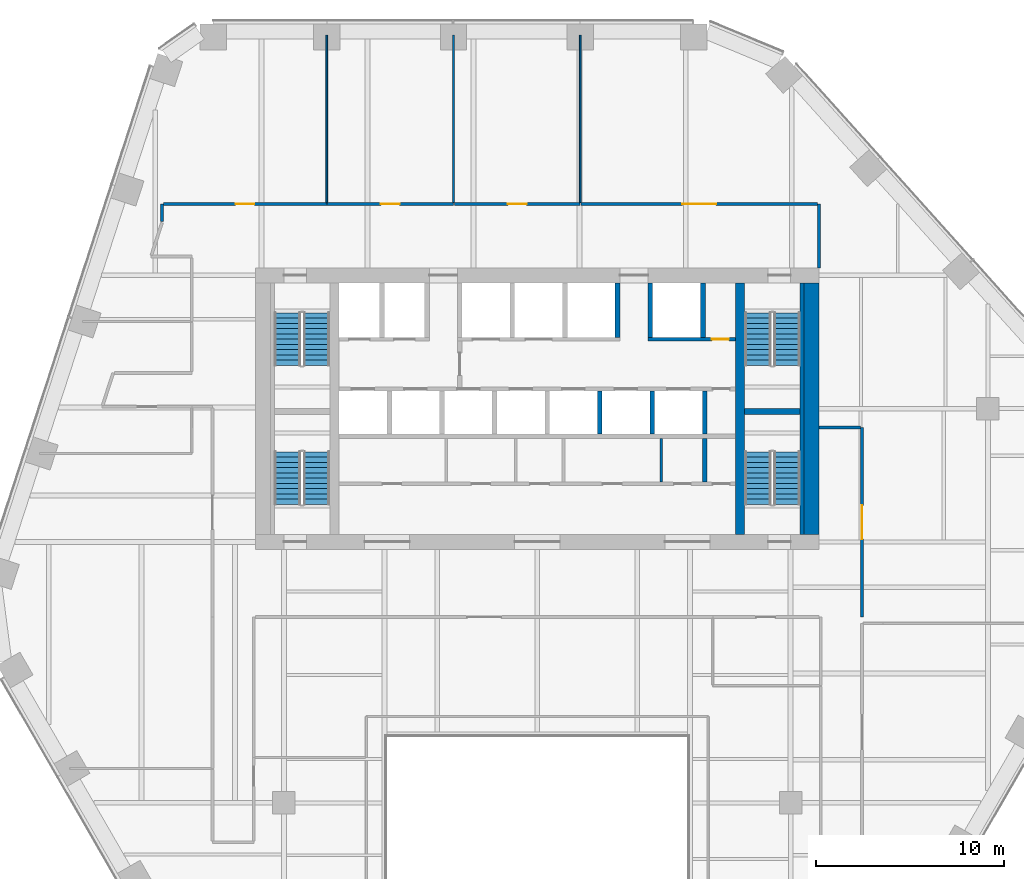
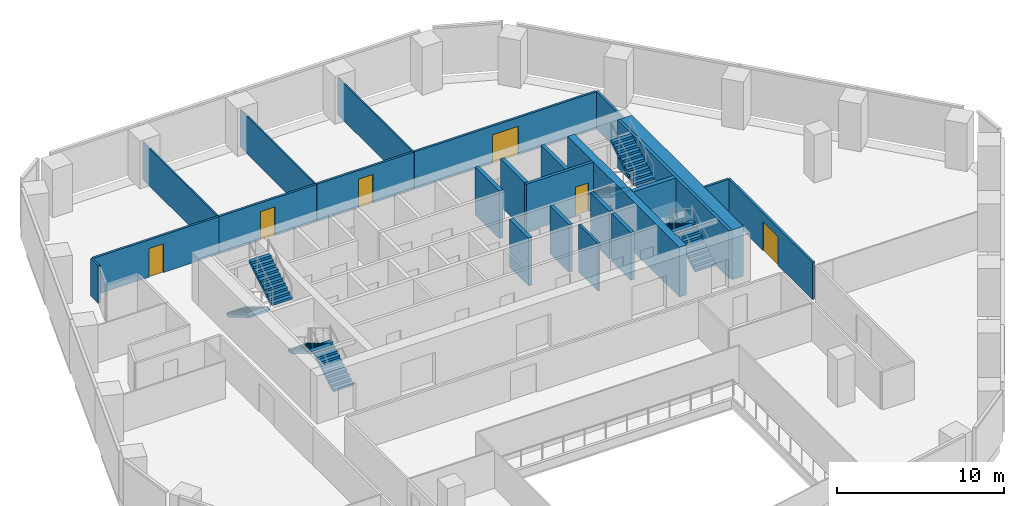
# One storey, part 13 of 16: 24 walls, 8 stair flights, 6 doors, 6 openings, 4 elements without a shape of their own.
"""IFC4 building model written with IfcOpenShell, lengths in metres."""

from ifc_helpers import new_model, si_unit, direction, frame, frame_2d, origin, place, context, subcontext, project, spatial, polyline, rectangle, outline, extrude, material, layer, layer_set, type_object, element, fill, aggregate, save


model = new_model("IFC4")

# Units and contexts
model_context = context("Model", 3, precision=1e-05, world=origin(), true_north=direction((0.0, 1.0)))
body_context = subcontext(model_context, "Body", "Model", "MODEL_VIEW")
ifc_project = project(units=[si_unit("LENGTHUNIT", "METRE"), si_unit("AREAUNIT", "SQUARE_METRE"), si_unit("VOLUMEUNIT", "CUBIC_METRE"), si_unit("PLANEANGLEUNIT", "RADIAN"), si_unit("MASSUNIT", "GRAM", prefix="KILO")], contexts=[model_context])

# Site, building, storey
site_placement = place(None, origin())
site = spatial("IfcSite", under=ifc_project, at=site_placement, CompositionType="ELEMENT")
building_placement = place(site_placement, origin())
building = spatial("IfcBuilding", under=site, at=building_placement, Name="Isthmus Gate Tower", CompositionType="ELEMENT")
storey_placement = place(building_placement, frame((0.0, 0.0, 148.050048828125)))
storey = spatial("IfcBuildingStorey", under=building, at=storey_placement, Name="L36", CompositionType="ELEMENT", Elevation=148.050048828125)

# Wall
ifc_material_1 = material(Name="Gypsum board on steel studs, fire-rated", Category="steel")
ifc_layer_1 = layer(ifc_material_1, 0.14990234375)
ifc_layer_set_1 = layer_set([ifc_layer_1], Name="CORRIDOR WALL 150 60 MIN")
wall_type_1 = type_object("IfcWallType", Name="CORRIDOR WALL 150 60 MIN", PredefinedType="PARTITIONING", material=ifc_layer_set_1)
wall_1_placement = place(storey_placement, frame((15.0, 18.39990234375, 0.0), z_axis=(0.0, 0.0, 1.0), x_axis=(0.0, -1.0, 0.0)))
element("IfcWall", 1, at=wall_1_placement, inside=storey, type_object=wall_type_1, Name="L36 Corridor Wall 150 60 Min", PredefinedType="PARTITIONING", context=body_context, shape_type="SweptSolid", body=[
    extrude(rectangle(XDim=3.39990234375, YDim=0.14990234375, at=frame_2d((1.699951171875, 0.0))), origin(), (0.0, 0.0, 1.0), 2.7412109375),
])

# Wall, opening, door
wall_2_placement = place(storey_placement, frame((17.298095703125, 6.5, 0.0), z_axis=(0.0, 0.0, 1.0), x_axis=(0.0, -1.0, 0.0)))
wall_2 = element("IfcWall", 2, at=wall_2_placement, inside=storey, type_object=wall_type_1, Name="L36 Corridor Wall 150 60 Min", PredefinedType="PARTITIONING", context=body_context, shape_type="SweptSolid", body=[
    extrude(rectangle(XDim=10.10205078125, YDim=0.14990234375, at=frame_2d((5.051025390625, 0.0))), origin(), (0.0, 0.0, 1.0), 2.7412109375),
])
opening_1_placement = place(wall_2_placement, frame((4.15087890625, 0.0, 0.0)))
opening_1 = element("IfcOpeningElement", 3, at=opening_1_placement, cuts=wall_2, Name="Opening DT-T3C-05", PredefinedType="OPENING", context=body_context, shape_type="SweptSolid", body=[
    extrude(rectangle(XDim=1.800048828125, YDim=2.10009765625, at=frame_2d((0.89990234375, 1.050048828125))), frame((0.0, 0.0849609375, 0.0), z_axis=(0.0, -1.0, 0.0), x_axis=(1.0, 0.0, 0.0)), (0.0, 0.0, 1.0), 0.169921875),
])
ifc_material_2 = material(Name="Solid core timber door leaf, fire-rated", Category="wood")
door_type_1 = type_object("IfcDoorType", Name="FIRE DOOR ROOM 1800 X 2100 60 MIN", OperationType="DOUBLE_DOOR_DOUBLE_SWING", PredefinedType="DOOR", material=ifc_material_2)
door_1_placement = place(opening_1_placement, origin())
door_1 = element("IfcDoor", 4, at=door_1_placement, inside=storey, type_object=door_type_1, Name="L36 room door", OperationType="DOUBLE_DOOR_DOUBLE_SWING", OverallHeight=2.10009765625, OverallWidth=1.800048828125, PredefinedType="DOOR", context=body_context, shape_type="SweptSolid", body=[
    extrude(rectangle(XDim=1.800048828125, YDim=2.10009765625, at=frame_2d((0.89990234375, 1.050048828125))), frame((0.0, 0.02490234375, 0.0), z_axis=(0.0, -1.0, 0.0), x_axis=(1.0, 0.0, 0.0)), (0.0, 0.0, 1.0), 0.050048828125),
])
fill(opening_1, door_1)

wall_3_placement = place(storey_placement, frame((-11.2119140625, 18.39990234375, 0.0), z_axis=(0.0, 0.0, 1.0), x_axis=(1.0, 0.0, 0.0)))
wall_3 = element("IfcWall", 5, at=wall_3_placement, inside=storey, type_object=wall_type_1, Name="L36 Corridor Wall 150 60 Min", PredefinedType="PARTITIONING", context=body_context, shape_type="SweptSolid", body=[
    extrude(rectangle(XDim=6.75, YDim=0.14990234375, at=frame_2d((3.375, 0.0))), origin(), (0.0, 0.0, 1.0), 2.7412109375),
])
opening_2_placement = place(wall_3_placement, frame((2.875, 0.0, 0.0)))
opening_2 = element("IfcOpeningElement", 6, at=opening_2_placement, cuts=wall_3, Name="Opening DT-T3C-01", PredefinedType="OPENING", context=body_context, shape_type="SweptSolid", body=[
    extrude(rectangle(XDim=1.0, YDim=2.10009765625, at=frame_2d((0.5, 1.050048828125))), frame((0.0, 0.0849609375, 0.0), z_axis=(0.0, -1.0, 0.0), x_axis=(1.0, 0.0, 0.0)), (0.0, 0.0, 1.0), 0.169921875),
])
ifc_material_3 = material(Name="Solid core timber door leaf, fire-rated", Category="wood")
door_type_2 = type_object("IfcDoorType", Name="FIRE DOOR ROOM 1000 X 2100 60 MIN", OperationType="SINGLE_SWING_LEFT", PredefinedType="DOOR", material=ifc_material_3)
door_2_placement = place(opening_2_placement, origin())
door_2 = element("IfcDoor", 7, at=door_2_placement, inside=storey, type_object=door_type_2, Name="L36 room door", OperationType="SINGLE_SWING_RIGHT", OverallHeight=2.10009765625, OverallWidth=1.0, PredefinedType="DOOR", context=body_context, shape_type="SweptSolid", body=[
    extrude(rectangle(XDim=1.0, YDim=2.10009765625, at=frame_2d((0.5, 1.050048828125))), frame((0.0, 0.02490234375, 0.0), z_axis=(0.0, -1.0, 0.0), x_axis=(1.0, 0.0, 0.0)), (0.0, 0.0, 1.0), 0.050048828125),
])
fill(opening_2, door_2)

wall_4_placement = place(storey_placement, frame((-4.412109375, 18.39990234375, 0.0), z_axis=(0.0, 0.0, 1.0), x_axis=(1.0, 0.0, 0.0)))
wall_4 = element("IfcWall", 8, at=wall_4_placement, inside=storey, type_object=wall_type_1, Name="L36 Corridor Wall 150 60 Min", PredefinedType="PARTITIONING", context=body_context, shape_type="SweptSolid", body=[
    extrude(rectangle(XDim=6.7001953125, YDim=0.14990234375, at=frame_2d((3.35009765625, 0.0))), origin(), (0.0, 0.0, 1.0), 2.7412109375),
])
opening_3_placement = place(wall_4_placement, frame((2.85009765625, 0.0, 0.0)))
opening_3 = element("IfcOpeningElement", 9, at=opening_3_placement, cuts=wall_4, Name="Opening DT-T3C-02", PredefinedType="OPENING", context=body_context, shape_type="SweptSolid", body=[
    extrude(rectangle(XDim=1.0, YDim=2.10009765625, at=frame_2d((0.5, 1.050048828125))), frame((0.0, 0.0849609375, 0.0), z_axis=(0.0, -1.0, 0.0), x_axis=(1.0, 0.0, 0.0)), (0.0, 0.0, 1.0), 0.169921875),
])
door_3_placement = place(opening_3_placement, origin())
door_3 = element("IfcDoor", 10, at=door_3_placement, inside=storey, type_object=door_type_2, Name="L36 room door", OperationType="SINGLE_SWING_RIGHT", OverallHeight=2.10009765625, OverallWidth=1.0, PredefinedType="DOOR", context=body_context, shape_type="SweptSolid", body=[
    extrude(rectangle(XDim=1.0, YDim=2.10009765625, at=frame_2d((0.5, 1.050048828125))), frame((0.0, 0.02490234375, 0.0), z_axis=(0.0, -1.0, 0.0), x_axis=(1.0, 0.0, 0.0)), (0.0, 0.0, 1.0), 0.050048828125),
])
fill(opening_3, door_3)

# Wall
wall_5_placement = place(storey_placement, frame((-19.989990234375, 17.47509765625, 0.0), z_axis=(0.0, 0.0, 1.0), x_axis=(0.0, 1.0, 0.0)))
element("IfcWall", 11, at=wall_5_placement, inside=storey, type_object=wall_type_1, Name="L36 Corridor Wall 150 60 Min", PredefinedType="PARTITIONING", context=body_context, shape_type="SweptSolid", body=[
    extrude(rectangle(XDim=0.9248046875, YDim=0.14990234375, at=frame_2d((0.46240234375, 0.0))), origin(), (0.0, 0.0, 1.0), 2.7412109375),
])

# Wall, opening, door
wall_6_placement = place(storey_placement, frame((-19.9150390625, 18.39990234375, 0.0), z_axis=(0.0, 0.0, 1.0), x_axis=(1.0, 0.0, 0.0)))
wall_6 = element("IfcWall", 12, at=wall_6_placement, inside=storey, type_object=wall_type_1, Name="L36 Corridor Wall 150 60 Min", PredefinedType="PARTITIONING", context=body_context, shape_type="SweptSolid", body=[
    extrude(rectangle(XDim=8.703125, YDim=0.14990234375, at=frame_2d((4.3515625, 0.0))), origin(), (0.0, 0.0, 1.0), 2.7412109375),
])
opening_4_placement = place(wall_6_placement, frame((3.8515625, 0.0, 0.0)))
opening_4 = element("IfcOpeningElement", 13, at=opening_4_placement, cuts=wall_6, Name="Opening DT-T3C-03", PredefinedType="OPENING", context=body_context, shape_type="SweptSolid", body=[
    extrude(rectangle(XDim=1.0, YDim=2.10009765625, at=frame_2d((0.5, 1.050048828125))), frame((0.0, 0.0849609375, 0.0), z_axis=(0.0, -1.0, 0.0), x_axis=(1.0, 0.0, 0.0)), (0.0, 0.0, 1.0), 0.169921875),
])
door_4_placement = place(opening_4_placement, origin())
door_4 = element("IfcDoor", 14, at=door_4_placement, inside=storey, type_object=door_type_2, Name="L36 room door", OperationType="SINGLE_SWING_RIGHT", OverallHeight=2.10009765625, OverallWidth=1.0, PredefinedType="DOOR", context=body_context, shape_type="SweptSolid", body=[
    extrude(rectangle(XDim=1.0, YDim=2.10009765625, at=frame_2d((0.5, 1.050048828125))), frame((0.0, 0.02490234375, 0.0), z_axis=(0.0, -1.0, 0.0), x_axis=(1.0, 0.0, 0.0)), (0.0, 0.0, 1.0), 0.050048828125),
])
fill(opening_4, door_4)

wall_7_placement = place(storey_placement, frame((2.337890625, 18.39990234375, 0.0), z_axis=(0.0, 0.0, 1.0), x_axis=(1.0, 0.0, 0.0)))
wall_7 = element("IfcWall", 15, at=wall_7_placement, inside=storey, type_object=wall_type_1, Name="L36 Corridor Wall 150 60 Min", PredefinedType="PARTITIONING", context=body_context, shape_type="SweptSolid", body=[
    extrude(rectangle(XDim=12.587158203125, YDim=0.14990234375, at=frame_2d((6.29345703125, 0.0))), origin(), (0.0, 0.0, 1.0), 2.7412109375),
])
opening_5_placement = place(wall_7_placement, frame((5.3935546875, 0.0, 0.0)))
opening_5 = element("IfcOpeningElement", 16, at=opening_5_placement, cuts=wall_7, Name="Opening DT-T3C-04", PredefinedType="OPENING", context=body_context, shape_type="SweptSolid", body=[
    extrude(rectangle(XDim=1.800048828125, YDim=2.10009765625, at=frame_2d((0.89990234375, 1.050048828125))), frame((0.0, 0.0849609375, 0.0), z_axis=(0.0, -1.0, 0.0), x_axis=(1.0, 0.0, 0.0)), (0.0, 0.0, 1.0), 0.169921875),
])
door_5_placement = place(opening_5_placement, origin())
door_5 = element("IfcDoor", 17, at=door_5_placement, inside=storey, type_object=door_type_1, Name="L36 room door", OperationType="DOUBLE_DOOR_DOUBLE_SWING", OverallHeight=2.10009765625, OverallWidth=1.800048828125, PredefinedType="DOOR", context=body_context, shape_type="SweptSolid", body=[
    extrude(rectangle(XDim=1.800048828125, YDim=2.10009765625, at=frame_2d((0.89990234375, 1.050048828125))), frame((0.0, 0.02490234375, 0.0), z_axis=(0.0, -1.0, 0.0), x_axis=(1.0, 0.0, 0.0)), (0.0, 0.0, 1.0), 0.050048828125),
])
fill(opening_5, door_5)

# Walls
wall_8_placement = place(storey_placement, frame((15.0, 6.5, 0.0), z_axis=(0.0, 0.0, 1.0), x_axis=(1.0, 0.0, 0.0)))
element("IfcWall", 18, at=wall_8_placement, inside=storey, type_object=wall_type_1, Name="L36 Corridor Wall 150 60 Min", PredefinedType="PARTITIONING", context=body_context, shape_type="SweptSolid", body=[
    extrude(rectangle(XDim=2.222900390625, YDim=0.14990234375, at=frame_2d((1.111328125, 0.0))), origin(), (0.0, 0.0, 1.0), 2.7412109375),
])
ifc_material_4 = material(Name="Concrete f'c 60 MPa", Category="concrete")
ifc_layer_2 = layer(ifc_material_4, 0.5)
ifc_layer_set_2 = layer_set([ifc_layer_2], Name="RC CORE SPINE WALL 500 F'C 60")
wall_type_2 = type_object("IfcWallType", Name="RC CORE SPINE WALL 500 F'C 60", PredefinedType="SOLIDWALL", material=ifc_layer_set_2)
wall_9_placement = place(storey_placement, frame((10.800048828125, 0.800048828125, -0.150146484375), z_axis=(0.0, 0.0, 1.0), x_axis=(0.0, 1.0, 0.0)))
element("IfcWall", 19, at=wall_9_placement, inside=storey, type_object=wall_type_2, Name="str-corewall-L36-SPE", PredefinedType="SOLIDWALL", context=body_context, shape_type="SweptSolid", body=[
    extrude(rectangle(XDim=13.39990234375, YDim=0.5, at=frame_2d((6.699951171875, 0.0))), origin(), (0.0, 0.0, 1.0), 3.650146484375),
])
ifc_material_5 = material(Name="Concrete f'c 60 MPa", Category="concrete")
ifc_layer_3 = layer(ifc_material_5, 0.800048828125)
ifc_layer_set_3 = layer_set([ifc_layer_3], Name="RC CORE WALL 800 F'C 60")
wall_type_3 = type_object("IfcWallType", Name="RC CORE WALL 800 F'C 60", PredefinedType="SOLIDWALL", material=ifc_layer_set_3)
wall_10_placement = place(storey_placement, frame((14.60009765625, 0.800048828125, -0.150146484375), z_axis=(0.0, 0.0, 1.0), x_axis=(0.0, 1.0, 0.0)))
element("IfcWall", 20, at=wall_10_placement, inside=storey, type_object=wall_type_3, Name="str-corewall-L36-E", PredefinedType="SOLIDWALL", context=body_context, shape_type="SweptSolid", body=[
    extrude(rectangle(XDim=13.39990234375, YDim=0.800048828125, at=frame_2d((6.699951171875, 0.0))), origin(), (0.0, 0.0, 1.0), 3.650146484375),
])
ifc_material_6 = material(Name="Gypsum board on steel studs, fire-rated", Category="steel")
ifc_layer_4 = layer(ifc_material_6, 0.10009765625)
ifc_layer_set_4 = layer_set([ifc_layer_4], Name="ROOM PARTITION 100 30 MIN")
wall_type_4 = type_object("IfcWallType", Name="ROOM PARTITION 100 30 MIN", PredefinedType="PARTITIONING", material=ifc_layer_set_4)
for number, where, z_axis, x_axis, name in (
    (21, (-4.4619140625, 18.47509765625, 0.0), (0.0, 0.0, 1.0), (0.0, 1.0, 0.0), "L36 Room Partition 100 30 Min"),
    (22, (2.2880859375, 18.47509765625, 0.0), (0.0, 0.0, 1.0), (0.0, 1.0, 0.0), "L36 Room Partition 100 30 Min"),
    (23, (-11.2119140625, 18.47509765625, 0.0), (0.0, 0.0, 1.0), (0.0, 1.0, 0.0), "L36 Room Partition 100 30 Min"),
):
    element("IfcWall", number, at=place(storey_placement, frame(where, z_axis=z_axis, x_axis=x_axis)), inside=storey, type_object=wall_type_4, Name=name, PredefinedType="PARTITIONING", context=body_context, shape_type="SweptSolid", body=[
        extrude(rectangle(XDim=8.9248046875, YDim=0.10009765625, at=frame_2d((4.46240234375, 0.0))), origin(), (0.0, 0.0, 1.0), 2.7412109375),
    ])
ifc_material_7 = material(Name="Gypsum board on steel studs, fire-rated", Category="steel")
ifc_layer_5 = layer(ifc_material_7, 0.14990234375)
ifc_layer_set_5 = layer_set([ifc_layer_5], Name="ROOM PARTITION 150 60 MIN")
wall_type_5 = type_object("IfcWallType", Name="ROOM PARTITION 150 60 MIN", PredefinedType="PARTITIONING", material=ifc_layer_set_5)
wall_11_placement = place(storey_placement, frame((6.60009765625, 3.60009765625, 0.0), z_axis=(0.0, 0.0, 1.0), x_axis=(0.0, 1.0, 0.0)))
element("IfcWall", 24, at=wall_11_placement, inside=storey, type_object=wall_type_5, Name="L36 ROOM PARTITION 150 60 MIN", PredefinedType="PARTITIONING", context=body_context, shape_type="SweptSolid", body=[
    extrude(rectangle(XDim=2.2998046875, YDim=0.14990234375, at=frame_2d((1.14990234375, 0.0))), origin(), (0.0, 0.0, 1.0), 3.5),
])

# Wall, opening, door
ifc_material_8 = material(Name="Fire-rated blockwork masonry, 15 MPa", Category="masonry")
ifc_layer_6 = layer(ifc_material_8, 0.199951171875)
ifc_layer_set_6 = layer_set([ifc_layer_6], Name="SHAFT FRONT WALL 200 120 MIN")
wall_type_6 = type_object("IfcWallType", Name="SHAFT FRONT WALL 200 120 MIN", PredefinedType="PARTITIONING", material=ifc_layer_set_6)
wall_12_placement = place(storey_placement, frame((5.89990234375, 11.199951171875, 0.0), z_axis=(0.0, 0.0, 1.0), x_axis=(1.0, 0.0, 0.0)))
wall_12 = element("IfcWall", 25, at=wall_12_placement, inside=storey, type_object=wall_type_6, Name="L36 SHAFT FRONT WALL 200 120 MIN", PredefinedType="PARTITIONING", context=body_context, shape_type="SweptSolid", body=[
    extrude(rectangle(XDim=4.650146484375, YDim=0.199951171875, at=frame_2d((2.3251953125, 0.0))), origin(), (0.0, 0.0, 1.0), 3.5),
])
opening_6_placement = place(wall_12_placement, frame((3.39990234375, 0.0, 0.0)))
opening_6 = element("IfcOpeningElement", 26, at=opening_6_placement, cuts=wall_12, Name="Opening DC-A11-09", PredefinedType="OPENING", context=body_context, shape_type="SweptSolid", body=[
    extrude(rectangle(XDim=0.89990234375, YDim=2.10009765625, at=frame_2d((0.449951171875, 1.050048828125))), frame((0.0, 0.10986328125, 0.0), z_axis=(0.0, -1.0, 0.0), x_axis=(1.0, 0.0, 0.0)), (0.0, 0.0, 1.0), 0.219970703125),
])
ifc_material_9 = material(Name="Steel door leaf, fire-rated", Category="steel")
door_type_3 = type_object("IfcDoorType", Name="RISER FIRE DOOR 900 X 2100 90 MIN", OperationType="SINGLE_SWING_LEFT", PredefinedType="DOOR", material=ifc_material_9)
door_6_placement = place(opening_6_placement, origin())
door_6 = element("IfcDoor", 27, at=door_6_placement, inside=storey, type_object=door_type_3, Name="Riser Door", OperationType="SINGLE_SWING_LEFT", OverallHeight=2.10009765625, OverallWidth=0.89990234375, PredefinedType="DOOR", context=body_context, shape_type="SweptSolid", body=[
    extrude(rectangle(XDim=0.89990234375, YDim=2.10009765625, at=frame_2d((0.449951171875, 1.050048828125))), frame((0.0, 0.02490234375, 0.0), z_axis=(0.0, -1.0, 0.0), x_axis=(1.0, 0.0, 0.0)), (0.0, 0.0, 1.0), 0.050048828125),
])
fill(opening_6, door_6)

# Walls
ifc_material_10 = material(Name="Fire-rated blockwork masonry, 15 MPa", Category="masonry")
ifc_layer_7 = layer(ifc_material_10, 0.25)
ifc_layer_set_7 = layer_set([ifc_layer_7], Name="SHAFT WALL 250 120 MIN")
wall_type_7 = type_object("IfcWallType", Name="SHAFT WALL 250 120 MIN", PredefinedType="PARTITIONING", material=ifc_layer_set_7)
wall_13_placement = place(storey_placement, frame((8.925048828125, 3.60009765625, 0.0), z_axis=(0.0, 0.0, 1.0), x_axis=(0.0, 1.0, 0.0)))
element("IfcWall", 28, at=wall_13_placement, inside=storey, type_object=wall_type_7, Name="L36 SHAFT WALL 250 120 MIN", PredefinedType="PARTITIONING", context=body_context, shape_type="SweptSolid", body=[
    extrude(rectangle(XDim=2.2998046875, YDim=0.25, at=frame_2d((1.14990234375, 0.0))), origin(), (0.0, 0.0, 1.0), 3.5),
])
for number, where, z_axis, x_axis, name in (
    (29, (3.324951171875, 6.14990234375, 0.0), (0.0, 0.0, 1.0), (0.0, 1.0, 0.0), "L36 SHAFT WALL 250 120 MIN"),
    (30, (6.125, 6.14990234375, 0.0), (0.0, 0.0, 1.0), (0.0, 1.0, 0.0), "L36 SHAFT WALL 250 120 MIN"),
    (31, (8.925048828125, 6.14990234375, 0.0), (0.0, 0.0, 1.0), (0.0, 1.0, 0.0), "L36 SHAFT WALL 250 120 MIN"),
):
    element("IfcWall", number, at=place(storey_placement, frame(where, z_axis=z_axis, x_axis=x_axis)), inside=storey, type_object=wall_type_7, Name=name, PredefinedType="PARTITIONING", context=body_context, shape_type="SweptSolid", body=[
        extrude(rectangle(XDim=2.300048828125, YDim=0.25, at=frame_2d((1.14990234375, 0.0))), origin(), (0.0, 0.0, 1.0), 3.5),
    ])
for number, where, z_axis, x_axis, name in (
    (32, (4.27490234375, 11.300048828125, 0.0), (0.0, 0.0, 1.0), (0.0, 1.0, 0.0), "L36 SHAFT WALL 250 120 MIN"),
    (33, (6.02490234375, 11.300048828125, 0.0), (0.0, 0.0, 1.0), (0.0, 1.0, 0.0), "L36 SHAFT WALL 250 120 MIN"),
    (34, (8.824951171875, 11.300048828125, 0.0), (0.0, 0.0, 1.0), (0.0, 1.0, 0.0), "L36 SHAFT WALL 250 120 MIN"),
):
    element("IfcWall", number, at=place(storey_placement, frame(where, z_axis=z_axis, x_axis=x_axis)), inside=storey, type_object=wall_type_7, Name=name, PredefinedType="PARTITIONING", context=body_context, shape_type="SweptSolid", body=[
        extrude(rectangle(XDim=2.89990234375, YDim=0.25, at=frame_2d((1.449951171875, 0.0))), origin(), (0.0, 0.0, 1.0), 3.5),
    ])
ifc_material_11 = material(Name="Concrete f'c 40 MPa", Category="concrete")
ifc_layer_8 = layer(ifc_material_11, 0.199951171875)
ifc_layer_set_8 = layer_set([ifc_layer_8], Name="STAIR ENCLOSURE WALL 200 180 MIN")
wall_type_8 = type_object("IfcWallType", Name="STAIR ENCLOSURE WALL 200 180 MIN", PredefinedType="SOLIDWALL", material=ifc_layer_set_8)
wall_14_placement = place(storey_placement, frame((14.10009765625, 0.800048828125, 0.0), z_axis=(0.0, 0.0, 1.0), x_axis=(0.0, 1.0, 0.0)))
element("IfcWall", 35, at=wall_14_placement, inside=storey, type_object=wall_type_8, Name="L36 STAIR ENCLOSURE WALL 200 180 MIN", PredefinedType="SOLIDWALL", context=body_context, shape_type="SweptSolid", body=[
    extrude(rectangle(XDim=13.39990234375, YDim=0.199951171875, at=frame_2d((6.699951171875, 0.0))), origin(), (0.0, 0.0, 1.0), 3.5),
])
ifc_material_12 = material(Name="Concrete f'c 40 MPa", Category="concrete")
ifc_layer_9 = layer(ifc_material_12, 0.300048828125)
ifc_layer_set_9 = layer_set([ifc_layer_9], Name="STAIR ENCLOSURE WALL 300 180 MIN")
wall_type_9 = type_object("IfcWallType", Name="STAIR ENCLOSURE WALL 300 180 MIN", PredefinedType="SOLIDWALL", material=ifc_layer_set_9)
wall_15_placement = place(storey_placement, frame((11.050048828125, 7.35009765625, 0.0), z_axis=(0.0, 0.0, 1.0), x_axis=(1.0, 0.0, 0.0)))
element("IfcWall", 36, at=wall_15_placement, inside=storey, type_object=wall_type_9, Name="L36 STAIR ENCLOSURE WALL 300 180 MIN", PredefinedType="SOLIDWALL", context=body_context, shape_type="SweptSolid", body=[
    extrude(rectangle(XDim=2.949951171875, YDim=0.300048828125, at=frame_2d((1.47509765625, 0.0))), origin(), (0.0, 0.0, 1.0), 3.5),
])

# Stair, stair flights
ifc_material_13 = material(Name="Concrete f'c 40 MPa", Category="concrete")
stair_type = type_object("IfcStairType", Name="CORE STAIR 22 RISERS", PredefinedType="HALF_TURN_STAIR", material=ifc_material_13)
stair_1_placement = place(storey_placement, origin())
stair_1 = element("IfcStair", 37, at=stair_1_placement, inside=storey, type_object=stair_type, Name="L36 Exit Stair 1", PredefinedType="HALF_TURN_STAIR")
ifc_material_14 = material(Name="Concrete f'c 40 MPa", Category="concrete")
stair_flight_type = type_object("IfcStairFlightType", Name="STAIR FLIGHT RC 1400", PredefinedType="STRAIGHT", material=ifc_material_14)
stair_flight_1_placement = place(storey_placement, frame((-13.300048828125, 12.60009765625, 0.0), z_axis=(0.0, 0.0, 1.0), x_axis=(0.0, -1.0, 0.0)))
stair_flight_1 = element("IfcStairFlight", 38, at=stair_flight_1_placement, type_object=stair_flight_type, Name="ST1 flight 1", NumberOfRisers=11, NumberOfTreads=10, PredefinedType="STRAIGHT", RiserHeight=0.165909091, TreadLength=0.28, context=body_context, shape_type="SweptSolid", body=[
    extrude(outline(polyline([(0.0, 0.0), (0.0, 0.166015625), (0.280029296875, 0.166015625), (0.280029296875, 0.331787109375), (0.56005859375, 0.331787109375), (0.56005859375, 0.497802734375), (0.840087890625, 0.497802734375), (0.840087890625, 0.66357421875), (1.1201171875, 0.66357421875), (1.1201171875, 0.82958984375), (1.39990234375, 0.82958984375), (1.39990234375, 0.995361328125), (1.679931640625, 0.995361328125), (1.679931640625, 1.161376953125), (1.9599609375, 1.161376953125), (1.9599609375, 1.327392578125), (2.239990234375, 1.327392578125), (2.239990234375, 1.4931640625), (2.52001953125, 1.4931640625), (2.52001953125, 1.6591796875), (2.800048828125, 1.6591796875), (2.800048828125, 1.824951171875), (2.800048828125, 1.48486328125), (0.2939453125, 0.0), (0.0, 0.0)])), frame((0.0, 0.699951171875, 0.0), z_axis=(0.0, -1.0, 0.0), x_axis=(1.0, 0.0, 0.0)), (0.0, 0.0, 1.0), 1.39990234375),
])
stair_flight_2_placement = place(storey_placement, frame((-11.75, 9.800048828125, 1.824951171875), z_axis=(0.0, 0.0, 1.0), x_axis=(0.0, 1.0, 0.0)))
stair_flight_2 = element("IfcStairFlight", 39, at=stair_flight_2_placement, type_object=stair_flight_type, Name="ST1 flight 2", NumberOfRisers=11, NumberOfTreads=10, PredefinedType="STRAIGHT", RiserHeight=0.165909091, TreadLength=0.28, context=body_context, shape_type="SweptSolid", body=[
    extrude(outline(polyline([(0.0, 0.0), (0.0, 0.166015625), (0.280029296875, 0.166015625), (0.280029296875, 0.331787109375), (0.56005859375, 0.331787109375), (0.56005859375, 0.497802734375), (0.840087890625, 0.497802734375), (0.840087890625, 0.66357421875), (1.1201171875, 0.66357421875), (1.1201171875, 0.82958984375), (1.39990234375, 0.82958984375), (1.39990234375, 0.995361328125), (1.679931640625, 0.995361328125), (1.679931640625, 1.161376953125), (1.9599609375, 1.161376953125), (1.9599609375, 1.327392578125), (2.239990234375, 1.327392578125), (2.239990234375, 1.4931640625), (2.52001953125, 1.4931640625), (2.52001953125, 1.6591796875), (2.800048828125, 1.6591796875), (2.800048828125, 1.824951171875), (2.800048828125, 1.48486328125), (0.2939453125, 0.0), (0.0, 0.0)])), frame((0.0, 0.699951171875, 0.0), z_axis=(0.0, -1.0, 0.0), x_axis=(1.0, 0.0, 0.0)), (0.0, 0.0, 1.0), 1.39990234375),
])
aggregate(stair_1, [stair_flight_1, stair_flight_2])

stair_2_placement = place(storey_placement, origin())
stair_2 = element("IfcStair", 40, at=stair_2_placement, inside=storey, type_object=stair_type, Name="L36 Exit Stair 2", PredefinedType="HALF_TURN_STAIR")
stair_flight_3_placement = place(storey_placement, frame((11.75, 12.60009765625, 0.0), z_axis=(0.0, 0.0, 1.0), x_axis=(0.0, -1.0, 0.0)))
stair_flight_3 = element("IfcStairFlight", 41, at=stair_flight_3_placement, type_object=stair_flight_type, Name="ST2 flight 1", NumberOfRisers=11, NumberOfTreads=10, PredefinedType="STRAIGHT", RiserHeight=0.165909091, TreadLength=0.28, context=body_context, shape_type="SweptSolid", body=[
    extrude(outline(polyline([(0.0, 0.0), (0.0, 0.166015625), (0.280029296875, 0.166015625), (0.280029296875, 0.331787109375), (0.56005859375, 0.331787109375), (0.56005859375, 0.497802734375), (0.840087890625, 0.497802734375), (0.840087890625, 0.66357421875), (1.1201171875, 0.66357421875), (1.1201171875, 0.82958984375), (1.39990234375, 0.82958984375), (1.39990234375, 0.995361328125), (1.679931640625, 0.995361328125), (1.679931640625, 1.161376953125), (1.9599609375, 1.161376953125), (1.9599609375, 1.327392578125), (2.239990234375, 1.327392578125), (2.239990234375, 1.4931640625), (2.52001953125, 1.4931640625), (2.52001953125, 1.6591796875), (2.800048828125, 1.6591796875), (2.800048828125, 1.824951171875), (2.800048828125, 1.48486328125), (0.2939453125, 0.0), (0.0, 0.0)])), frame((0.0, 0.699951171875, 0.0), z_axis=(0.0, -1.0, 0.0), x_axis=(1.0, 0.0, 0.0)), (0.0, 0.0, 1.0), 1.39990234375),
])
stair_flight_4_placement = place(storey_placement, frame((13.300048828125, 9.800048828125, 1.824951171875), z_axis=(0.0, 0.0, 1.0), x_axis=(0.0, 1.0, 0.0)))
stair_flight_4 = element("IfcStairFlight", 42, at=stair_flight_4_placement, type_object=stair_flight_type, Name="ST2 flight 2", NumberOfRisers=11, NumberOfTreads=10, PredefinedType="STRAIGHT", RiserHeight=0.165909091, TreadLength=0.28, context=body_context, shape_type="SweptSolid", body=[
    extrude(outline(polyline([(0.0, 0.0), (0.0, 0.166015625), (0.280029296875, 0.166015625), (0.280029296875, 0.331787109375), (0.56005859375, 0.331787109375), (0.56005859375, 0.497802734375), (0.840087890625, 0.497802734375), (0.840087890625, 0.66357421875), (1.1201171875, 0.66357421875), (1.1201171875, 0.82958984375), (1.39990234375, 0.82958984375), (1.39990234375, 0.995361328125), (1.679931640625, 0.995361328125), (1.679931640625, 1.161376953125), (1.9599609375, 1.161376953125), (1.9599609375, 1.327392578125), (2.239990234375, 1.327392578125), (2.239990234375, 1.4931640625), (2.52001953125, 1.4931640625), (2.52001953125, 1.6591796875), (2.800048828125, 1.6591796875), (2.800048828125, 1.824951171875), (2.800048828125, 1.48486328125), (0.2939453125, 0.0), (0.0, 0.0)])), frame((0.0, 0.699951171875, 0.0), z_axis=(0.0, -1.0, 0.0), x_axis=(1.0, 0.0, 0.0)), (0.0, 0.0, 1.0), 1.39990234375),
])
aggregate(stair_2, [stair_flight_3, stair_flight_4])

stair_3_placement = place(storey_placement, origin())
stair_3 = element("IfcStair", 43, at=stair_3_placement, inside=storey, type_object=stair_type, Name="L36 Exit Stair 7", PredefinedType="HALF_TURN_STAIR")
stair_flight_5_placement = place(storey_placement, frame((-11.75, 2.39990234375, 0.0), z_axis=(0.0, 0.0, 1.0), x_axis=(0.0, 1.0, 0.0)))
stair_flight_5 = element("IfcStairFlight", 44, at=stair_flight_5_placement, type_object=stair_flight_type, Name="ST7 flight 1", NumberOfRisers=11, NumberOfTreads=10, PredefinedType="STRAIGHT", RiserHeight=0.165909091, TreadLength=0.28, context=body_context, shape_type="SweptSolid", body=[
    extrude(outline(polyline([(0.0, 0.0), (0.0, 0.166015625), (0.280029296875, 0.166015625), (0.280029296875, 0.331787109375), (0.56005859375, 0.331787109375), (0.56005859375, 0.497802734375), (0.840087890625, 0.497802734375), (0.840087890625, 0.66357421875), (1.1201171875, 0.66357421875), (1.1201171875, 0.82958984375), (1.39990234375, 0.82958984375), (1.39990234375, 0.995361328125), (1.679931640625, 0.995361328125), (1.679931640625, 1.161376953125), (1.9599609375, 1.161376953125), (1.9599609375, 1.327392578125), (2.239990234375, 1.327392578125), (2.239990234375, 1.4931640625), (2.52001953125, 1.4931640625), (2.52001953125, 1.6591796875), (2.800048828125, 1.6591796875), (2.800048828125, 1.824951171875), (2.800048828125, 1.48486328125), (0.2939453125, 0.0), (0.0, 0.0)])), frame((0.0, 0.699951171875, 0.0), z_axis=(0.0, -1.0, 0.0), x_axis=(1.0, 0.0, 0.0)), (0.0, 0.0, 1.0), 1.39990234375),
])
stair_flight_6_placement = place(storey_placement, frame((-13.300048828125, 5.199951171875, 1.824951171875), z_axis=(0.0, 0.0, 1.0), x_axis=(0.0, -1.0, 0.0)))
stair_flight_6 = element("IfcStairFlight", 45, at=stair_flight_6_placement, type_object=stair_flight_type, Name="ST7 flight 2", NumberOfRisers=11, NumberOfTreads=10, PredefinedType="STRAIGHT", RiserHeight=0.165909091, TreadLength=0.28, context=body_context, shape_type="SweptSolid", body=[
    extrude(outline(polyline([(0.0, 0.0), (0.0, 0.166015625), (0.280029296875, 0.166015625), (0.280029296875, 0.331787109375), (0.56005859375, 0.331787109375), (0.56005859375, 0.497802734375), (0.840087890625, 0.497802734375), (0.840087890625, 0.66357421875), (1.1201171875, 0.66357421875), (1.1201171875, 0.82958984375), (1.39990234375, 0.82958984375), (1.39990234375, 0.995361328125), (1.679931640625, 0.995361328125), (1.679931640625, 1.161376953125), (1.9599609375, 1.161376953125), (1.9599609375, 1.327392578125), (2.239990234375, 1.327392578125), (2.239990234375, 1.4931640625), (2.52001953125, 1.4931640625), (2.52001953125, 1.6591796875), (2.800048828125, 1.6591796875), (2.800048828125, 1.824951171875), (2.800048828125, 1.48486328125), (0.2939453125, 0.0), (0.0, 0.0)])), frame((0.0, 0.699951171875, 0.0), z_axis=(0.0, -1.0, 0.0), x_axis=(1.0, 0.0, 0.0)), (0.0, 0.0, 1.0), 1.39990234375),
])
aggregate(stair_3, [stair_flight_5, stair_flight_6])

stair_4_placement = place(storey_placement, origin())
stair_4 = element("IfcStair", 46, at=stair_4_placement, inside=storey, type_object=stair_type, Name="L36 Exit Stair 8", PredefinedType="HALF_TURN_STAIR")
stair_flight_7_placement = place(storey_placement, frame((13.300048828125, 2.39990234375, 0.0), z_axis=(0.0, 0.0, 1.0), x_axis=(0.0, 1.0, 0.0)))
stair_flight_7 = element("IfcStairFlight", 47, at=stair_flight_7_placement, type_object=stair_flight_type, Name="ST8 flight 1", NumberOfRisers=11, NumberOfTreads=10, PredefinedType="STRAIGHT", RiserHeight=0.165909091, TreadLength=0.28, context=body_context, shape_type="SweptSolid", body=[
    extrude(outline(polyline([(0.0, 0.0), (0.0, 0.166015625), (0.280029296875, 0.166015625), (0.280029296875, 0.331787109375), (0.56005859375, 0.331787109375), (0.56005859375, 0.497802734375), (0.840087890625, 0.497802734375), (0.840087890625, 0.66357421875), (1.1201171875, 0.66357421875), (1.1201171875, 0.82958984375), (1.39990234375, 0.82958984375), (1.39990234375, 0.995361328125), (1.679931640625, 0.995361328125), (1.679931640625, 1.161376953125), (1.9599609375, 1.161376953125), (1.9599609375, 1.327392578125), (2.239990234375, 1.327392578125), (2.239990234375, 1.4931640625), (2.52001953125, 1.4931640625), (2.52001953125, 1.6591796875), (2.800048828125, 1.6591796875), (2.800048828125, 1.824951171875), (2.800048828125, 1.48486328125), (0.2939453125, 0.0), (0.0, 0.0)])), frame((0.0, 0.699951171875, 0.0), z_axis=(0.0, -1.0, 0.0), x_axis=(1.0, 0.0, 0.0)), (0.0, 0.0, 1.0), 1.39990234375),
])
stair_flight_8_placement = place(storey_placement, frame((11.75, 5.199951171875, 1.824951171875), z_axis=(0.0, 0.0, 1.0), x_axis=(0.0, -1.0, 0.0)))
stair_flight_8 = element("IfcStairFlight", 48, at=stair_flight_8_placement, type_object=stair_flight_type, Name="ST8 flight 2", NumberOfRisers=11, NumberOfTreads=10, PredefinedType="STRAIGHT", RiserHeight=0.165909091, TreadLength=0.28, context=body_context, shape_type="SweptSolid", body=[
    extrude(outline(polyline([(0.0, 0.0), (0.0, 0.166015625), (0.280029296875, 0.166015625), (0.280029296875, 0.331787109375), (0.56005859375, 0.331787109375), (0.56005859375, 0.497802734375), (0.840087890625, 0.497802734375), (0.840087890625, 0.66357421875), (1.1201171875, 0.66357421875), (1.1201171875, 0.82958984375), (1.39990234375, 0.82958984375), (1.39990234375, 0.995361328125), (1.679931640625, 0.995361328125), (1.679931640625, 1.161376953125), (1.9599609375, 1.161376953125), (1.9599609375, 1.327392578125), (2.239990234375, 1.327392578125), (2.239990234375, 1.4931640625), (2.52001953125, 1.4931640625), (2.52001953125, 1.6591796875), (2.800048828125, 1.6591796875), (2.800048828125, 1.824951171875), (2.800048828125, 1.48486328125), (0.2939453125, 0.0), (0.0, 0.0)])), frame((0.0, 0.699951171875, 0.0), z_axis=(0.0, -1.0, 0.0), x_axis=(1.0, 0.0, 0.0)), (0.0, 0.0, 1.0), 1.39990234375),
])
aggregate(stair_4, [stair_flight_7, stair_flight_8])

save(model, "model.ifc")
